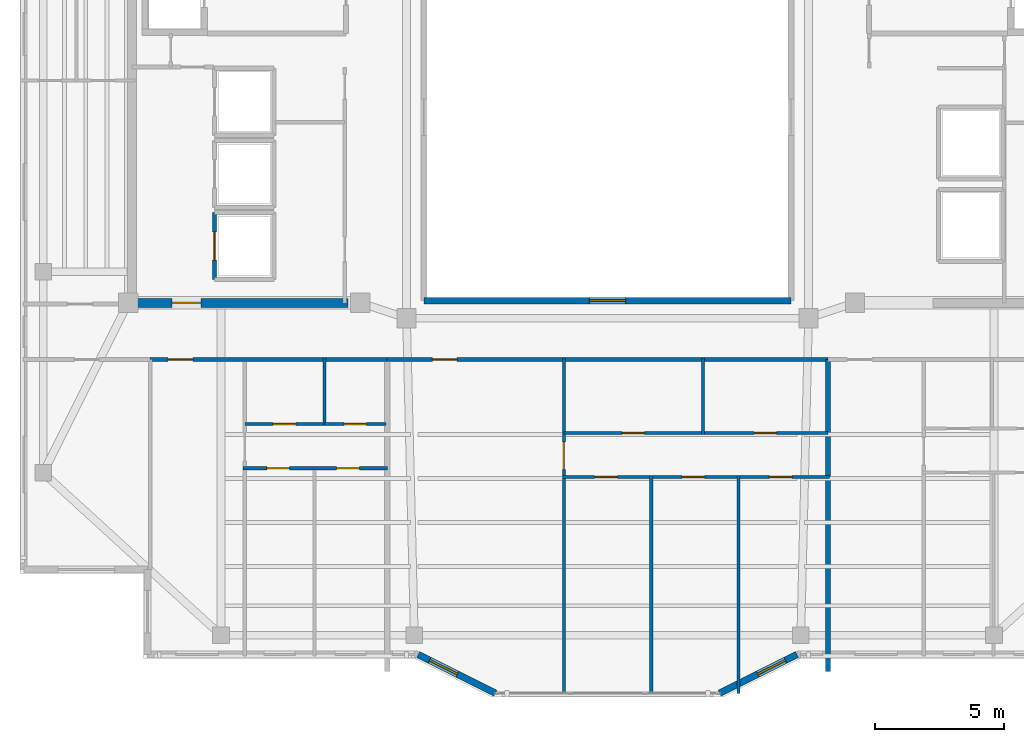
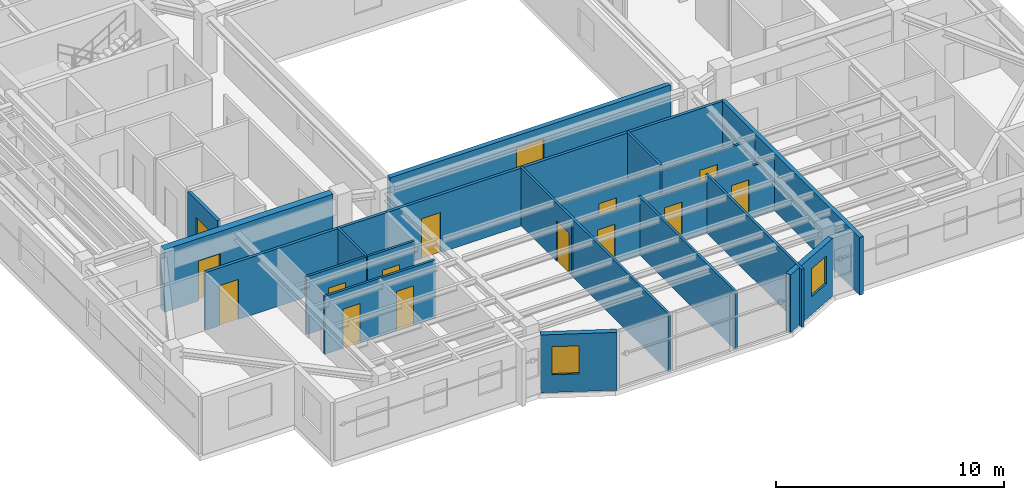
# One storey, part 6 of 15: 19 walls, 14 doors, 3 windows, 17 openings.
"""IFC4 building model written with IfcOpenShell, lengths in metres."""

import ifcopenshell
import ifcopenshell.guid

model = None  # the IFC model being written
_history = None  # IfcOwnerHistory: only IFC2X3 demands one
_inside = {}  # id of a spatial element -> (the spatial element, [elements in it])
_under = {}  # id of a project, library or spatial element -> (it, [spatial elements below it])
_declared = {}  # id of a project -> (the project, [libraries it declares])
_typed = {}  # id of a type object -> (the type object, [elements of that type])
_made_of = {}  # id of a material, layer set ... -> (it, [elements and type objects made of it])


def new_model(schema):
    """Start an empty IFC model of exactly this schema.

    Asked for "IFC4X3", IfcOpenShell would pick the latest addendum, in which some entities
    have other attributes; the version numbers below select the first issue.
    IFC2X3 requires an IfcOwnerHistory on every rooted entity: one is made here for all.
    """
    global model, _history
    if schema == "IFC4X3":
        model = ifcopenshell.file(schema_version=(4, 3, 0, 0))
    else:
        model = ifcopenshell.file(schema=schema)
    _inside.clear()
    _under.clear()
    _declared.clear()
    _typed.clear()
    _made_of.clear()
    _history = None
    if model.schema == "IFC2X3":
        org = make("IfcOrganization", Name="unknown")
        user = make(
            "IfcPersonAndOrganization",
            ThePerson=make("IfcPerson", FamilyName="unknown"),
            TheOrganization=org,
        )
        app = make(
            "IfcApplication",
            ApplicationDeveloper=org,
            Version="unknown",
            ApplicationFullName="unknown",
            ApplicationIdentifier="unknown",
        )
        _history = make(
            "IfcOwnerHistory",
            OwningUser=user,
            OwningApplication=app,
            ChangeAction="ADDED",
            CreationDate=0,
        )
    return model


def make(cls, **values):
    """One entity of the class cls with the attributes given. An attribute that is None is left unset."""
    return model.create_entity(
        cls, **{name: value for name, value in values.items() if value is not None}
    )


def rooted(cls, **values):
    """An entity with a GlobalId (a new one), such as an element, a storey or a relation."""
    return make(cls, GlobalId=ifcopenshell.guid.new(), OwnerHistory=_history, **values)


def si_unit(unit_type, name, prefix=None):
    """IfcSIUnit, for example si_unit("LENGTHUNIT", "METRE", prefix="MILLI")."""
    return make("IfcSIUnit", UnitType=unit_type, Prefix=prefix, Name=name)


def assignment(units):
    """IfcUnitAssignment: the units of a project."""
    return None if units is None else make("IfcUnitAssignment", Units=units)


def point(xyz):
    """IfcCartesianPoint."""
    return None if xyz is None else make("IfcCartesianPoint", Coordinates=xyz)


def direction(xyz):
    """IfcDirection."""
    return None if xyz is None else make("IfcDirection", DirectionRatios=xyz)


def frame(location, z_axis=None, x_axis=None):
    """IfcAxis2Placement3D, a coordinate frame: its origin and axes. An axis left out is left unset."""
    return make(
        "IfcAxis2Placement3D",
        Location=point(location),
        Axis=direction(z_axis),
        RefDirection=direction(x_axis),
    )


def frame_2d(location, x_axis=None):
    """IfcAxis2Placement2D, a coordinate frame in the plane: its origin and x axis."""
    return make(
        "IfcAxis2Placement2D", Location=point(location), RefDirection=direction(x_axis)
    )


def origin():
    """The frame at (0, 0, 0) with its axes left unset."""
    return frame((0.0, 0.0, 0.0))


def place(relative_to, where):
    """IfcLocalPlacement: puts the frame where relative to a parent placement (None: the world)."""
    return make(
        "IfcLocalPlacement", PlacementRelTo=relative_to, RelativePlacement=where
    )


def context(
    kind, dimensions, precision=None, world=None, true_north=None, identifier=None
):
    """IfcGeometricRepresentationContext, for example the 3D "Model" context."""
    return make(
        "IfcGeometricRepresentationContext",
        ContextIdentifier=identifier,
        ContextType=kind,
        CoordinateSpaceDimension=dimensions,
        Precision=precision,
        WorldCoordinateSystem=world,
        TrueNorth=true_north,
    )


def subcontext(parent, identifier, kind, view, scale=None):
    """IfcGeometricRepresentationSubContext, for example "Body" below "Model"."""
    return make(
        "IfcGeometricRepresentationSubContext",
        ContextIdentifier=identifier,
        ContextType=kind,
        ParentContext=parent,
        TargetScale=scale,
        TargetView=view,
    )


def project(units=None, contexts=None):
    """IfcProject with its units and contexts."""
    return rooted(
        "IfcProject",
        Name="project",
        RepresentationContexts=contexts,
        UnitsInContext=assignment(units),
    )


def spatial(cls, under=None, at=None, **own):
    """A site, building, storey or space (cls), placed at a placement, below another one or the project."""
    s = rooted(cls, ObjectPlacement=at, **own)
    if under is not None:
        _under.setdefault(under.id(), (under, []))[1].append(s)
    return s


def profile(cls, at=None, kind="AREA", **sizes):
    """A parametric profile (cls). Its sizes go by their IFC names, for example OverallWidth=200.0."""
    return make(cls, ProfileType=kind, Position=at, **sizes)


def rectangle(**sizes):
    """IfcRectangleProfileDef."""
    return profile("IfcRectangleProfileDef", **sizes)


def extrude(swept, where, along, depth):
    """IfcExtrudedAreaSolid: the profile swept, set in the frame where, extruded along a direction by depth."""
    return make(
        "IfcExtrudedAreaSolid",
        SweptArea=swept,
        Position=where,
        ExtrudedDirection=direction(along),
        Depth=depth,
    )


def shape(context_of_items, identifier, shape_type, items):
    """IfcShapeRepresentation: the items that make up one representation, for example the "Body"."""
    return make(
        "IfcShapeRepresentation",
        ContextOfItems=context_of_items,
        RepresentationIdentifier=identifier,
        RepresentationType=shape_type,
        Items=items,
    )


def material(Name=None, Category=None):
    """IfcMaterial."""
    return make("IfcMaterial", Name=Name, Category=Category)


def layer(
    of_material, thickness, ventilated=None, Name=None, Category=None, Priority=None
):
    """IfcMaterialLayer: one layer of a wall or slab, of a material (None: an air gap)."""
    return make(
        "IfcMaterialLayer",
        Material=of_material,
        LayerThickness=thickness,
        IsVentilated=ventilated,
        Name=Name,
        Category=Category,
        Priority=Priority,
    )


def layer_set(layers, Name=None):
    """IfcMaterialLayerSet."""
    return make("IfcMaterialLayerSet", MaterialLayers=layers, LayerSetName=Name)


def made_of(thing, what):
    """Note that an element or type object is made of a material, layer set ...; save() writes the relation."""
    if what is not None:
        _made_of.setdefault(what.id(), (what, []))[1].append(thing)
    return thing


def type_object(cls, material=None, **own):
    """A type object (cls), such as IfcWallType, which elements share."""
    return made_of(rooted(cls, **own), material)


def element(
    cls,
    number,
    at=None,
    inside=None,
    cuts=None,
    type_object=None,
    material=None,
    context=None,
    identifier="Body",
    shape_type=None,
    held_by="IfcProductDefinitionShape",
    body=None,
    shapes=None,
    **own,
):
    """One element of the class cls, such as IfcWall. Its Tag is "e" and its number.

    at: its placement. inside: the storey or other place that contains it. cuts: it is an
    opening in that element (IfcRelVoidsElement). A single representation is given by context,
    identifier, shape_type and body (its items); several are given by shapes. held_by: the class
    of the entity that holds the representations. save() writes the other relations.
    """
    e = rooted(cls, Tag="e%d" % number, ObjectPlacement=at, **own)
    if body is not None:
        shapes = [shape(context, identifier, shape_type, body)]
    if shapes is not None:
        e.Representation = make(held_by, Representations=shapes)
    if inside is not None:
        _inside.setdefault(inside.id(), (inside, []))[1].append(e)
    if cuts is not None:
        rooted(
            "IfcRelVoidsElement", RelatingBuildingElement=cuts, RelatedOpeningElement=e
        )
    if type_object is not None:
        _typed.setdefault(type_object.id(), (type_object, []))[1].append(e)
    return made_of(e, material)


def fill(opening, filler):
    """IfcRelFillsElement: the door or window that sits in an opening."""
    return rooted(
        "IfcRelFillsElement",
        RelatingOpeningElement=opening,
        RelatedBuildingElement=filler,
    )


def aggregate(whole, parts):
    """IfcRelAggregates: a whole, such as a stair, and the parts it consists of."""
    return rooted("IfcRelAggregates", RelatingObject=whole, RelatedObjects=parts)


def save(model, path):
    """Write the relations noted so far, then the file.

    IfcRelAggregates (storeys below a building ...), IfcRelContainedInSpatialStructure (elements
    in a storey), IfcRelDefinesByType, IfcRelAssociatesMaterial and IfcRelDeclares: one each for
    every whole, place, type object, material and project.
    """
    for whole, parts in _under.values():
        aggregate(whole, parts)
    for where, things in _inside.values():
        rooted(
            "IfcRelContainedInSpatialStructure",
            RelatedElements=things,
            RelatingStructure=where,
        )
    for kind, things in _typed.values():
        rooted("IfcRelDefinesByType", RelatedObjects=things, RelatingType=kind)
    for what, things in _made_of.values():
        rooted("IfcRelAssociatesMaterial", RelatedObjects=things, RelatingMaterial=what)
    for by, libraries in _declared.values():
        rooted("IfcRelDeclares", RelatingContext=by, RelatedDefinitions=libraries)
    model.write(path)


model = new_model("IFC4")

# Units and contexts
model_context = context("Model", 3, precision=1e-05, world=origin(), true_north=direction((0.0, 1.0)))
body_context = subcontext(model_context, "Body", "Model", "MODEL_VIEW")
ifc_project = project(units=[si_unit("LENGTHUNIT", "METRE"), si_unit("AREAUNIT", "SQUARE_METRE"), si_unit("VOLUMEUNIT", "CUBIC_METRE"), si_unit("PLANEANGLEUNIT", "RADIAN"), si_unit("MASSUNIT", "GRAM", prefix="KILO")], contexts=[model_context])

# Site, building, storey
site_placement = place(None, origin())
site = spatial("IfcSite", under=ifc_project, at=site_placement, CompositionType="ELEMENT")
building_placement = place(site_placement, origin())
building = spatial("IfcBuilding", under=site, at=building_placement, Name="Tarnavaz Court Tower", CompositionType="ELEMENT")
storey_placement = place(building_placement, frame((0.0, 0.0, 244.85009765625)))
storey = spatial("IfcBuildingStorey", under=building, at=storey_placement, Name="L66", CompositionType="ELEMENT", Elevation=244.85009765625)

# Wall, opening, door
ifc_material_1 = material(Name="Concrete C50/60", Category="concrete")
ifc_layer_1 = layer(ifc_material_1, 0.35009765625)
ifc_layer_set_1 = layer_set([ifc_layer_1], Name="Concrete C50/60")
wall_type_1 = type_object("IfcWallType", Name="WL-CORE-350-C50", PredefinedType="SHEAR", material=ifc_layer_set_1)
wall_1_placement = place(storey_placement, frame((-18.625, -7.199951171875, 0.0), z_axis=(0.0, 0.0, 1.0), x_axis=(1.0, 0.0, 0.0)))
wall_1 = element("IfcWall", 1, at=wall_1_placement, inside=storey, type_object=wall_type_1, Name="L66 West Core South Shear Wall 046", PredefinedType="SHEAR", context=body_context, shape_type="SweptSolid", body=[
    extrude(rectangle(XDim=8.550048828125, YDim=0.35009765625, at=frame_2d((4.27490234375, 0.0))), origin(), (0.0, 0.0, 1.0), 3.349853515625),
])
opening_1_placement = place(wall_1_placement, frame((1.72509765625, 0.0, 0.0)))
opening_1 = element("IfcOpeningElement", 2, at=opening_1_placement, cuts=wall_1, Name="Opening D04", PredefinedType="OPENING", context=body_context, shape_type="SweptSolid", body=[
    extrude(rectangle(XDim=1.1201171875, YDim=2.14990234375, at=frame_2d((0.56005859375, 1.074951171875))), frame((0.0, 0.18505859375, 0.0), z_axis=(0.0, -1.0, 0.0), x_axis=(1.0, 0.0, 0.0)), (0.0, 0.0, 1.0), 0.3701171875),
])
ifc_material_2 = material(Name="Fire-Rated Hardwood Timber Core", Category="wood")
door_type_1 = type_object("IfcDoorType", Name="DR-FD60-1100", OperationType="NOTDEFINED", PredefinedType="DOOR", material=ifc_material_2)
door_1_placement = place(opening_1_placement, origin())
door_1 = element("IfcDoor", 3, at=door_1_placement, inside=storey, type_object=door_type_1, Name="L66 West High-Rise Lift Lobby Door", OperationType="SINGLE_SWING_LEFT", OverallHeight=2.14990234375, OverallWidth=1.1201171875, PredefinedType="DOOR", context=body_context, shape_type="SweptSolid", body=[
    extrude(rectangle(XDim=1.1201171875, YDim=2.14990234375, at=frame_2d((0.56005859375, 1.074951171875))), frame((0.0, 0.02490234375, 0.0), z_axis=(0.0, -1.0, 0.0), x_axis=(1.0, 0.0, 0.0)), (0.0, 0.0, 1.0), 0.050048828125),
])
fill(opening_1, door_1)

# Wall, opening, window
ifc_material_3 = material(Name="Precast Concrete C40/50", Category="concrete")
ifc_layer_2 = layer(ifc_material_3, 0.260009765625)
ifc_layer_set_2 = layer_set([ifc_layer_2], Name="Precast Concrete C40/50")
wall_type_2 = type_object("IfcWallType", Name="WL-EXT-260", PredefinedType="SOLIDWALL", material=ifc_layer_set_2)
wall_2_placement = place(storey_placement, frame((7.35009765625, -20.85009765625, 0.0), z_axis=(0.0, 0.0, 1.0), x_axis=(-0.894427191, -0.4472135955, 0.0)))
wall_2 = element("IfcWall", 4, at=wall_2_placement, inside=storey, type_object=wall_type_2, Name="L66 Exterior Terracotta Facade Wall 16", PredefinedType="SOLIDWALL", context=body_context, shape_type="SweptSolid", body=[
    extrude(rectangle(XDim=3.35400390625, YDim=0.260009765625, at=frame_2d((1.677001953125, 0.0))), origin(), (0.0, 0.0, 1.0), 3.099853515625),
])
opening_2_placement = place(wall_2_placement, frame((0.501220703125, 0.0, 0.949951171875)))
opening_2 = element("IfcOpeningElement", 5, at=opening_2_placement, cuts=wall_2, Name="Opening W05", PredefinedType="OPENING", context=body_context, shape_type="SweptSolid", body=[
    extrude(rectangle(XDim=1.199951171875, YDim=1.5, at=frame_2d((0.60009765625, 0.75))), frame((0.0, 0.139892578125, 0.0), z_axis=(0.0, -1.0, 0.0), x_axis=(1.0, 0.0, 0.0)), (0.0, 0.0, 1.0), 0.280029296875),
])
ifc_material_4 = material(Name="Double-Glazed Solar Low-E Glass", Category="glass")
window_type_1 = type_object("IfcWindowType", Name="WN-APT-1200", PartitioningType="SINGLE_PANEL", PredefinedType="WINDOW", material=ifc_material_4)
window_1_placement = place(opening_2_placement, origin())
window_1 = element("IfcWindow", 6, at=window_1_placement, inside=storey, type_object=window_type_1, Name="L66 Flat 07 Bedroom 3 Window", OverallHeight=1.5, OverallWidth=1.199951171875, PartitioningType="SINGLE_PANEL", PredefinedType="WINDOW", context=body_context, shape_type="SweptSolid", body=[
    extrude(rectangle(XDim=1.199951171875, YDim=1.5, at=frame_2d((0.60009765625, 0.75))), frame((0.0, 0.030029296875, 0.0), z_axis=(0.0, -1.0, 0.0), x_axis=(1.0, 0.0, 0.0)), (0.0, 0.0, 1.0), 0.06005859375),
])
fill(opening_2, window_1)

wall_3_placement = place(storey_placement, frame((-4.35009765625, -22.35009765625, 0.0), z_axis=(0.0, 0.0, 1.0), x_axis=(-0.894427191, 0.4472135955, 0.0)))
wall_3 = element("IfcWall", 7, at=wall_3_placement, inside=storey, type_object=wall_type_2, Name="L66 Exterior Terracotta Facade Wall 18", PredefinedType="SOLIDWALL", context=body_context, shape_type="SweptSolid", body=[
    extrude(rectangle(XDim=3.35400390625, YDim=0.260009765625, at=frame_2d((1.677001953125, 0.0))), origin(), (0.0, 0.0, 1.0), 3.099853515625),
])
opening_3_placement = place(wall_3_placement, frame((1.65283203125, 0.0, 0.949951171875)))
opening_3 = element("IfcOpeningElement", 8, at=opening_3_placement, cuts=wall_3, Name="Opening W05", PredefinedType="OPENING", context=body_context, shape_type="SweptSolid", body=[
    extrude(rectangle(XDim=1.199951171875, YDim=1.5, at=frame_2d((0.60009765625, 0.75))), frame((0.0, 0.139892578125, 0.0), z_axis=(0.0, -1.0, 0.0), x_axis=(1.0, 0.0, 0.0)), (0.0, 0.0, 1.0), 0.280029296875),
])
window_2_placement = place(opening_3_placement, origin())
window_2 = element("IfcWindow", 9, at=window_2_placement, inside=storey, type_object=window_type_1, Name="L66 Flat 07 Living and Dining Room Window", OverallHeight=1.5, OverallWidth=1.199951171875, PartitioningType="SINGLE_PANEL", PredefinedType="WINDOW", context=body_context, shape_type="SweptSolid", body=[
    extrude(rectangle(XDim=1.199951171875, YDim=1.5, at=frame_2d((0.60009765625, 0.75))), frame((0.0, 0.030029296875, 0.0), z_axis=(0.0, -1.0, 0.0), x_axis=(1.0, 0.0, 0.0)), (0.0, 0.0, 1.0), 0.06005859375),
])
fill(opening_3, window_2)

# Wall, opening, door
ifc_material_5 = material(Name="Gypsum Fire-Board on Acoustic Metal Stud", Category="masonry")
ifc_layer_3 = layer(ifc_material_5, 0.14990234375)
ifc_layer_set_3 = layer_set([ifc_layer_3], Name="Gypsum Fire-Board on Acoustic Metal Stud")
wall_type_3 = type_object("IfcWallType", Name="WL-FIRE-150", PredefinedType="PARTITIONING", material=ifc_layer_set_3)
wall_4_placement = place(storey_placement, frame((-17.75, -9.39990234375, 0.0), z_axis=(0.0, 0.0, 1.0), x_axis=(1.0, 0.0, 0.0)))
wall_4 = element("IfcWall", 10, at=wall_4_placement, inside=storey, type_object=wall_type_3, Name="L66 SW Lobby Wall 059", PredefinedType="PARTITIONING", context=body_context, shape_type="SweptSolid", body=[
    extrude(rectangle(XDim=9.199951171875, YDim=0.14990234375, at=frame_2d((4.60009765625, 0.0))), origin(), (0.0, 0.0, 1.0), 3.099853515625),
])
opening_4_placement = place(wall_4_placement, frame((0.699951171875, 0.0, 0.0)))
opening_4 = element("IfcOpeningElement", 11, at=opening_4_placement, cuts=wall_4, Name="Opening D06", PredefinedType="OPENING", context=body_context, shape_type="SweptSolid", body=[
    extrude(rectangle(XDim=0.9599609375, YDim=2.14990234375, at=frame_2d((0.47998046875, 1.074951171875))), frame((0.0, 0.0849609375, 0.0), z_axis=(0.0, -1.0, 0.0), x_axis=(1.0, 0.0, 0.0)), (0.0, 0.0, 1.0), 0.169921875),
])
door_type_2 = type_object("IfcDoorType", Name="DR-FD60-950", OperationType="NOTDEFINED", PredefinedType="DOOR", material=ifc_material_2)
door_2_placement = place(opening_4_placement, origin())
door_2 = element("IfcDoor", 12, at=door_2_placement, inside=storey, type_object=door_type_2, Name="L66 Flat 05 Entrance Door", OperationType="SINGLE_SWING_LEFT", OverallHeight=2.14990234375, OverallWidth=0.9599609375, PredefinedType="DOOR", context=body_context, shape_type="SweptSolid", body=[
    extrude(rectangle(XDim=0.9599609375, YDim=2.14990234375, at=frame_2d((0.47998046875, 1.074951171875))), frame((0.0, 0.02490234375, 0.0), z_axis=(0.0, -1.0, 0.0), x_axis=(1.0, 0.0, 0.0)), (0.0, 0.0, 1.0), 0.050048828125),
])
fill(opening_4, door_2)

wall_5_placement = place(storey_placement, frame((-8.550048828125, -9.39990234375, 0.0), z_axis=(0.0, 0.0, 1.0), x_axis=(1.0, 0.0, 0.0)))
wall_5 = element("IfcWall", 13, at=wall_5_placement, inside=storey, type_object=wall_type_3, Name="L66 Interior Partition 100", PredefinedType="PARTITIONING", context=body_context, shape_type="SweptSolid", body=[
    extrude(rectangle(XDim=17.10009765625, YDim=0.14990234375, at=frame_2d((8.550048828125, 0.0))), origin(), (0.0, 0.0, 1.0), 3.099853515625),
])
opening_5_placement = place(wall_5_placement, frame((1.75, 0.0, 0.0)))
opening_5 = element("IfcOpeningElement", 14, at=opening_5_placement, cuts=wall_5, Name="Opening D06", PredefinedType="OPENING", context=body_context, shape_type="SweptSolid", body=[
    extrude(rectangle(XDim=0.9599609375, YDim=2.14990234375, at=frame_2d((0.47998046875, 1.074951171875))), frame((0.0, 0.0849609375, 0.0), z_axis=(0.0, -1.0, 0.0), x_axis=(1.0, 0.0, 0.0)), (0.0, 0.0, 1.0), 0.169921875),
])
door_3_placement = place(opening_5_placement, origin())
door_3 = element("IfcDoor", 15, at=door_3_placement, inside=storey, type_object=door_type_2, Name="L66 Flat 07 Entrance Door", OperationType="SINGLE_SWING_LEFT", OverallHeight=2.14990234375, OverallWidth=0.9599609375, PredefinedType="DOOR", context=body_context, shape_type="SweptSolid", body=[
    extrude(rectangle(XDim=0.9599609375, YDim=2.14990234375, at=frame_2d((0.47998046875, 1.074951171875))), frame((0.0, 0.02490234375, 0.0), z_axis=(0.0, -1.0, 0.0), x_axis=(1.0, 0.0, 0.0)), (0.0, 0.0, 1.0), 0.050048828125),
])
fill(opening_5, door_3)

# Wall
ifc_material_6 = material(Name="Autoclaved Aerated Concrete Blockwork", Category="masonry")
ifc_layer_4 = layer(ifc_material_6, 0.199951171875)
ifc_layer_set_4 = layer_set([ifc_layer_4], Name="Autoclaved Aerated Concrete Blockwork")
wall_type_4 = type_object("IfcWallType", Name="WL-FIRE-200", PredefinedType="SOLIDWALL", material=ifc_layer_set_4)
wall_6_placement = place(storey_placement, frame((8.550048828125, -21.50390625, 0.0), z_axis=(0.0, 0.0, 1.0), x_axis=(0.0, 1.0, 0.0)))
element("IfcWall", 16, at=wall_6_placement, inside=storey, type_object=wall_type_4, Name="L66 Party Wall 099", PredefinedType="SOLIDWALL", context=body_context, shape_type="SweptSolid", body=[
    extrude(rectangle(XDim=12.10400390625, YDim=0.199951171875, at=frame_2d((6.052001953125, 0.0))), origin(), (0.0, 0.0, 1.0), 3.099853515625),
])

# Wall, opening, door
ifc_material_7 = material(Name="Moisture-Resistant Gypsum Board Partition", Category="masonry")
ifc_layer_5 = layer(ifc_material_7, 0.1201171875)
ifc_layer_set_5 = layer_set([ifc_layer_5], Name="Moisture-Resistant Gypsum Board Partition")
wall_type_5 = type_object("IfcWallType", Name="WL-PART-120", PredefinedType="PARTITIONING", material=ifc_layer_set_5)
wall_7_placement = place(storey_placement, frame((-14.077880859375, -11.909912109375, 0.0), z_axis=(0.0, 0.0, 1.0), x_axis=(1.0, 0.0, 0.0)))
wall_7 = element("IfcWall", 17, at=wall_7_placement, inside=storey, type_object=wall_type_5, Name="L66 Interior Partition 087", PredefinedType="PARTITIONING", context=body_context, shape_type="SweptSolid", body=[
    extrude(rectangle(XDim=3.087890625, YDim=0.1201171875, at=frame_2d((1.5439453125, 0.0))), origin(), (0.0, 0.0, 1.0), 3.099853515625),
])
opening_6_placement = place(wall_7_placement, frame((1.10400390625, 0.0, 0.0)))
opening_6 = element("IfcOpeningElement", 18, at=opening_6_placement, cuts=wall_7, Name="Opening D14", PredefinedType="OPENING", context=body_context, shape_type="SweptSolid", body=[
    extrude(rectangle(XDim=0.8798828125, YDim=2.10009765625, at=frame_2d((0.43994140625, 1.050048828125))), frame((0.0, 0.070068359375, 0.0), z_axis=(0.0, -1.0, 0.0), x_axis=(1.0, 0.0, 0.0)), (0.0, 0.0, 1.0), 0.14013671875),
])
ifc_material_8 = material(Name="Engineered Oak Timber", Category="wood")
door_type_3 = type_object("IfcDoorType", Name="DR-INT-900", OperationType="NOTDEFINED", PredefinedType="DOOR", material=ifc_material_8)
door_4_placement = place(opening_6_placement, origin())
door_4 = element("IfcDoor", 19, at=door_4_placement, inside=storey, type_object=door_type_3, Name="L66 Flat 05 Kitchen Door", OperationType="SINGLE_SWING_LEFT", OverallHeight=2.10009765625, OverallWidth=0.8798828125, PredefinedType="DOOR", context=body_context, shape_type="SweptSolid", body=[
    extrude(rectangle(XDim=0.8798828125, YDim=2.10009765625, at=frame_2d((0.43994140625, 1.050048828125))), frame((0.0, 0.02490234375, 0.0), z_axis=(0.0, -1.0, 0.0), x_axis=(1.0, 0.0, 0.0)), (0.0, 0.0, 1.0), 0.050048828125),
])
fill(opening_6, door_4)

wall_8_placement = place(storey_placement, frame((-10.989990234375, -11.909912109375, 0.0), z_axis=(0.0, 0.0, 1.0), x_axis=(1.0, 0.0, 0.0)))
wall_8 = element("IfcWall", 20, at=wall_8_placement, inside=storey, type_object=wall_type_5, Name="L66 Interior Partition 088", PredefinedType="PARTITIONING", context=body_context, shape_type="SweptSolid", body=[
    extrude(rectangle(XDim=2.389892578125, YDim=0.1201171875, at=frame_2d((1.19482421875, 0.0))), origin(), (0.0, 0.0, 1.0), 3.099853515625),
])
opening_7_placement = place(wall_8_placement, frame((0.7548828125, 0.0, 0.0)))
opening_7 = element("IfcOpeningElement", 21, at=opening_7_placement, cuts=wall_8, Name="Opening D14", PredefinedType="OPENING", context=body_context, shape_type="SweptSolid", body=[
    extrude(rectangle(XDim=0.8798828125, YDim=2.10009765625, at=frame_2d((0.43994140625, 1.050048828125))), frame((0.0, 0.070068359375, 0.0), z_axis=(0.0, -1.0, 0.0), x_axis=(1.0, 0.0, 0.0)), (0.0, 0.0, 1.0), 0.14013671875),
])
door_5_placement = place(opening_7_placement, origin())
door_5 = element("IfcDoor", 22, at=door_5_placement, inside=storey, type_object=door_type_3, Name="L66 Flat 05 Bathroom Door", OperationType="SINGLE_SWING_RIGHT", OverallHeight=2.10009765625, OverallWidth=0.8798828125, PredefinedType="DOOR", context=body_context, shape_type="SweptSolid", body=[
    extrude(rectangle(XDim=0.8798828125, YDim=2.10009765625, at=frame_2d((0.43994140625, 1.050048828125))), frame((0.0, 0.02490234375, 0.0), z_axis=(0.0, -1.0, 0.0), x_axis=(1.0, 0.0, 0.0)), (0.0, 0.0, 1.0), 0.050048828125),
])
fill(opening_7, door_5)

# Wall, openings, doors
wall_9_placement = place(storey_placement, frame((-14.137939453125, -13.6201171875, 0.0), z_axis=(0.0, 0.0, 1.0), x_axis=(1.0, 0.0, 0.0)))
wall_9 = element("IfcWall", 23, at=wall_9_placement, inside=storey, type_object=wall_type_5, Name="L66 Interior Partition 089", PredefinedType="PARTITIONING", context=body_context, shape_type="SweptSolid", body=[
    extrude(rectangle(XDim=5.597900390625, YDim=0.1201171875, at=frame_2d((2.798828125, 0.0))), origin(), (0.0, 0.0, 1.0), 3.099853515625),
])
opening_8_placement = place(wall_9_placement, frame((0.9140625, 0.0, 0.0)))
opening_8 = element("IfcOpeningElement", 24, at=opening_8_placement, cuts=wall_9, Name="Opening D14", PredefinedType="OPENING", context=body_context, shape_type="SweptSolid", body=[
    extrude(rectangle(XDim=0.8798828125, YDim=2.10009765625, at=frame_2d((0.43994140625, 1.050048828125))), frame((0.0, 0.070068359375, 0.0), z_axis=(0.0, -1.0, 0.0), x_axis=(1.0, 0.0, 0.0)), (0.0, 0.0, 1.0), 0.14013671875),
])
opening_9_placement = place(wall_9_placement, frame((3.623046875, 0.0, 0.0)))
opening_9 = element("IfcOpeningElement", 25, at=opening_9_placement, cuts=wall_9, Name="Opening D14", PredefinedType="OPENING", context=body_context, shape_type="SweptSolid", body=[
    extrude(rectangle(XDim=0.8798828125, YDim=2.10009765625, at=frame_2d((0.43994140625, 1.050048828125))), frame((0.0, 0.070068359375, 0.0), z_axis=(0.0, -1.0, 0.0), x_axis=(1.0, 0.0, 0.0)), (0.0, 0.0, 1.0), 0.14013671875),
])
door_6_placement = place(opening_8_placement, origin())
door_6 = element("IfcDoor", 26, at=door_6_placement, inside=storey, type_object=door_type_3, Name="L66 Flat 05 Bedroom 1 Door", OperationType="SINGLE_SWING_LEFT", OverallHeight=2.10009765625, OverallWidth=0.8798828125, PredefinedType="DOOR", context=body_context, shape_type="SweptSolid", body=[
    extrude(rectangle(XDim=0.8798828125, YDim=2.10009765625, at=frame_2d((0.43994140625, 1.050048828125))), frame((0.0, 0.02490234375, 0.0), z_axis=(0.0, -1.0, 0.0), x_axis=(1.0, 0.0, 0.0)), (0.0, 0.0, 1.0), 0.050048828125),
])
fill(opening_8, door_6)
door_7_placement = place(opening_9_placement, origin())
door_7 = element("IfcDoor", 27, at=door_7_placement, inside=storey, type_object=door_type_3, Name="L66 Flat 05 Bedroom 2 Door", OperationType="SINGLE_SWING_RIGHT", OverallHeight=2.10009765625, OverallWidth=0.8798828125, PredefinedType="DOOR", context=body_context, shape_type="SweptSolid", body=[
    extrude(rectangle(XDim=0.8798828125, YDim=2.10009765625, at=frame_2d((0.43994140625, 1.050048828125))), frame((0.0, 0.02490234375, 0.0), z_axis=(0.0, -1.0, 0.0), x_axis=(1.0, 0.0, 0.0)), (0.0, 0.0, 1.0), 0.050048828125),
])
fill(opening_9, door_7)

# Wall
wall_10_placement = place(storey_placement, frame((-10.989990234375, -11.969970703125, 0.0), z_axis=(0.0, 0.0, 1.0), x_axis=(0.0, 1.0, 0.0)))
element("IfcWall", 28, at=wall_10_placement, inside=storey, type_object=wall_type_5, Name="L66 Interior Partition 090", PredefinedType="PARTITIONING", context=body_context, shape_type="SweptSolid", body=[
    extrude(rectangle(XDim=2.6298828125, YDim=0.1201171875, at=frame_2d((1.31494140625, 0.0))), origin(), (0.0, 0.0, 1.0), 3.099853515625),
])

# Wall, opening, door
wall_11_placement = place(storey_placement, frame((-1.696044921875, -22.3798828125, 0.0), z_axis=(0.0, 0.0, 1.0), x_axis=(0.0, 1.0, 0.0)))
wall_11 = element("IfcWall", 29, at=wall_11_placement, inside=storey, type_object=wall_type_5, Name="L66 Interior Partition 101", PredefinedType="PARTITIONING", context=body_context, shape_type="SweptSolid", body=[
    extrude(rectangle(XDim=13.039794921875, YDim=0.1201171875, at=frame_2d((6.52001953125, 0.0))), origin(), (0.0, 0.0, 1.0), 3.099853515625),
])
opening_10_placement = place(wall_11_placement, frame((8.705078125, 0.0, 0.0)))
opening_10 = element("IfcOpeningElement", 30, at=opening_10_placement, cuts=wall_11, Name="Opening D12", PredefinedType="OPENING", context=body_context, shape_type="SweptSolid", body=[
    extrude(rectangle(XDim=1.080078125, YDim=2.14990234375, at=frame_2d((0.5400390625, 1.074951171875))), frame((0.0, 0.070068359375, 0.0), z_axis=(0.0, -1.0, 0.0), x_axis=(1.0, 0.0, 0.0)), (0.0, 0.0, 1.0), 0.14013671875),
])
door_type_4 = type_object("IfcDoorType", Name="DR-INT-1100", OperationType="NOTDEFINED", PredefinedType="DOOR", material=ifc_material_8)
door_8_placement = place(opening_10_placement, origin())
door_8 = element("IfcDoor", 31, at=door_8_placement, inside=storey, type_object=door_type_4, Name="L66 Flat 07 Foyer Door", OperationType="SINGLE_SWING_RIGHT", OverallHeight=2.14990234375, OverallWidth=1.080078125, PredefinedType="DOOR", context=body_context, shape_type="SweptSolid", body=[
    extrude(rectangle(XDim=1.080078125, YDim=2.14990234375, at=frame_2d((0.5400390625, 1.074951171875))), frame((0.0, 0.02490234375, 0.0), z_axis=(0.0, -1.0, 0.0), x_axis=(1.0, 0.0, 0.0)), (0.0, 0.0, 1.0), 0.050048828125),
])
fill(opening_10, door_8)

wall_12_placement = place(storey_placement, frame((-1.696044921875, -12.25, 0.0), z_axis=(0.0, 0.0, 1.0), x_axis=(1.0, 0.0, 0.0)))
wall_12 = element("IfcWall", 32, at=wall_12_placement, inside=storey, type_object=wall_type_5, Name="L66 Interior Partition 102", PredefinedType="PARTITIONING", context=body_context, shape_type="SweptSolid", body=[
    extrude(rectangle(XDim=5.39306640625, YDim=0.1201171875, at=frame_2d((2.696533203125, 0.0))), origin(), (0.0, 0.0, 1.0), 2.784912109375),
])
opening_11_placement = place(wall_12_placement, frame((2.256103515625, 0.0, 0.0)))
opening_11 = element("IfcOpeningElement", 33, at=opening_11_placement, cuts=wall_12, Name="Opening D14", PredefinedType="OPENING", context=body_context, shape_type="SweptSolid", body=[
    extrude(rectangle(XDim=0.8798828125, YDim=2.10009765625, at=frame_2d((0.43994140625, 1.050048828125))), frame((0.0, 0.070068359375, 0.0), z_axis=(0.0, -1.0, 0.0), x_axis=(1.0, 0.0, 0.0)), (0.0, 0.0, 1.0), 0.14013671875),
])
door_9_placement = place(opening_11_placement, origin())
door_9 = element("IfcDoor", 34, at=door_9_placement, inside=storey, type_object=door_type_3, Name="L66 Flat 07 Kitchen Door", OperationType="SINGLE_SWING_LEFT", OverallHeight=2.10009765625, OverallWidth=0.8798828125, PredefinedType="DOOR", context=body_context, shape_type="SweptSolid", body=[
    extrude(rectangle(XDim=0.8798828125, YDim=2.10009765625, at=frame_2d((0.43994140625, 1.050048828125))), frame((0.0, 0.02490234375, 0.0), z_axis=(0.0, -1.0, 0.0), x_axis=(1.0, 0.0, 0.0)), (0.0, 0.0, 1.0), 0.050048828125),
])
fill(opening_11, door_9)

wall_13_placement = place(storey_placement, frame((3.697021484375, -12.25, 0.0), z_axis=(0.0, 0.0, 1.0), x_axis=(1.0, 0.0, 0.0)))
wall_13 = element("IfcWall", 35, at=wall_13_placement, inside=storey, type_object=wall_type_5, Name="L66 Interior Partition 103", PredefinedType="PARTITIONING", context=body_context, shape_type="SweptSolid", body=[
    extrude(rectangle(XDim=4.85302734375, YDim=0.1201171875, at=frame_2d((2.426513671875, 0.0))), origin(), (0.0, 0.0, 1.0), 2.784912109375),
])
opening_12_placement = place(wall_13_placement, frame((1.987060546875, 0.0, 0.0)))
opening_12 = element("IfcOpeningElement", 36, at=opening_12_placement, cuts=wall_13, Name="Opening D14", PredefinedType="OPENING", context=body_context, shape_type="SweptSolid", body=[
    extrude(rectangle(XDim=0.8798828125, YDim=2.10009765625, at=frame_2d((0.43994140625, 1.050048828125))), frame((0.0, 0.070068359375, 0.0), z_axis=(0.0, -1.0, 0.0), x_axis=(1.0, 0.0, 0.0)), (0.0, 0.0, 1.0), 0.14013671875),
])
door_10_placement = place(opening_12_placement, origin())
door_10 = element("IfcDoor", 37, at=door_10_placement, inside=storey, type_object=door_type_3, Name="L66 Flat 07 Bathroom Door", OperationType="SINGLE_SWING_RIGHT", OverallHeight=2.10009765625, OverallWidth=0.8798828125, PredefinedType="DOOR", context=body_context, shape_type="SweptSolid", body=[
    extrude(rectangle(XDim=0.8798828125, YDim=2.10009765625, at=frame_2d((0.43994140625, 1.050048828125))), frame((0.0, 0.02490234375, 0.0), z_axis=(0.0, -1.0, 0.0), x_axis=(1.0, 0.0, 0.0)), (0.0, 0.0, 1.0), 0.050048828125),
])
fill(opening_12, door_10)

# Wall, openings, doors
wall_14_placement = place(storey_placement, frame((-1.756103515625, -13.9599609375, 0.0), z_axis=(0.0, 0.0, 1.0), x_axis=(1.0, 0.0, 0.0)))
wall_14 = element("IfcWall", 38, at=wall_14_placement, inside=storey, type_object=wall_type_5, Name="L66 Interior Partition 104", PredefinedType="PARTITIONING", context=body_context, shape_type="SweptSolid", body=[
    extrude(rectangle(XDim=10.3662109375, YDim=0.1201171875, at=frame_2d((5.18310546875, 0.0))), origin(), (0.0, 0.0, 1.0), 2.784912109375),
])
opening_13_placement = place(wall_14_placement, frame((1.256103515625, 0.0, 0.0)))
opening_13 = element("IfcOpeningElement", 39, at=opening_13_placement, cuts=wall_14, Name="Opening D14", PredefinedType="OPENING", context=body_context, shape_type="SweptSolid", body=[
    extrude(rectangle(XDim=0.8798828125, YDim=2.10009765625, at=frame_2d((0.43994140625, 1.050048828125))), frame((0.0, 0.070068359375, 0.0), z_axis=(0.0, -1.0, 0.0), x_axis=(1.0, 0.0, 0.0)), (0.0, 0.0, 1.0), 0.14013671875),
])
opening_14_placement = place(wall_14_placement, frame((4.64794921875, 0.0, 0.0)))
opening_14 = element("IfcOpeningElement", 40, at=opening_14_placement, cuts=wall_14, Name="Opening D14", PredefinedType="OPENING", context=body_context, shape_type="SweptSolid", body=[
    extrude(rectangle(XDim=0.8798828125, YDim=2.10009765625, at=frame_2d((0.43994140625, 1.050048828125))), frame((0.0, 0.070068359375, 0.0), z_axis=(0.0, -1.0, 0.0), x_axis=(1.0, 0.0, 0.0)), (0.0, 0.0, 1.0), 0.14013671875),
])
opening_15_placement = place(wall_14_placement, frame((8.0400390625, 0.0, 0.0)))
opening_15 = element("IfcOpeningElement", 41, at=opening_15_placement, cuts=wall_14, Name="Opening D14", PredefinedType="OPENING", context=body_context, shape_type="SweptSolid", body=[
    extrude(rectangle(XDim=0.8798828125, YDim=2.10009765625, at=frame_2d((0.43994140625, 1.050048828125))), frame((0.0, 0.070068359375, 0.0), z_axis=(0.0, -1.0, 0.0), x_axis=(1.0, 0.0, 0.0)), (0.0, 0.0, 1.0), 0.14013671875),
])
door_11_placement = place(opening_13_placement, origin())
door_11 = element("IfcDoor", 42, at=door_11_placement, inside=storey, type_object=door_type_3, Name="L66 Flat 07 Bedroom 1 Door", OperationType="SINGLE_SWING_LEFT", OverallHeight=2.10009765625, OverallWidth=0.8798828125, PredefinedType="DOOR", context=body_context, shape_type="SweptSolid", body=[
    extrude(rectangle(XDim=0.8798828125, YDim=2.10009765625, at=frame_2d((0.43994140625, 1.050048828125))), frame((0.0, 0.02490234375, 0.0), z_axis=(0.0, -1.0, 0.0), x_axis=(1.0, 0.0, 0.0)), (0.0, 0.0, 1.0), 0.050048828125),
])
fill(opening_13, door_11)
door_12_placement = place(opening_14_placement, origin())
door_12 = element("IfcDoor", 43, at=door_12_placement, inside=storey, type_object=door_type_3, Name="L66 Flat 07 Bedroom 2 Door", OperationType="SINGLE_SWING_RIGHT", OverallHeight=2.10009765625, OverallWidth=0.8798828125, PredefinedType="DOOR", context=body_context, shape_type="SweptSolid", body=[
    extrude(rectangle(XDim=0.8798828125, YDim=2.10009765625, at=frame_2d((0.43994140625, 1.050048828125))), frame((0.0, 0.02490234375, 0.0), z_axis=(0.0, -1.0, 0.0), x_axis=(1.0, 0.0, 0.0)), (0.0, 0.0, 1.0), 0.050048828125),
])
fill(opening_14, door_12)
door_13_placement = place(opening_15_placement, origin())
door_13 = element("IfcDoor", 44, at=door_13_placement, inside=storey, type_object=door_type_3, Name="L66 Flat 07 Bedroom 3 Door", OperationType="SINGLE_SWING_LEFT", OverallHeight=2.10009765625, OverallWidth=0.8798828125, PredefinedType="DOOR", context=body_context, shape_type="SweptSolid", body=[
    extrude(rectangle(XDim=0.8798828125, YDim=2.10009765625, at=frame_2d((0.43994140625, 1.050048828125))), frame((0.0, 0.02490234375, 0.0), z_axis=(0.0, -1.0, 0.0), x_axis=(1.0, 0.0, 0.0)), (0.0, 0.0, 1.0), 0.050048828125),
])
fill(opening_15, door_13)

# Walls
wall_15_placement = place(storey_placement, frame((3.697021484375, -12.31005859375, 0.0), z_axis=(0.0, 0.0, 1.0), x_axis=(0.0, 1.0, 0.0)))
element("IfcWall", 45, at=wall_15_placement, inside=storey, type_object=wall_type_5, Name="L66 Interior Partition 105", PredefinedType="PARTITIONING", context=body_context, shape_type="SweptSolid", body=[
    extrude(rectangle(XDim=2.969970703125, YDim=0.1201171875, at=frame_2d((1.48486328125, 0.0))), origin(), (0.0, 0.0, 1.0), 3.099853515625),
])
wall_16_placement = place(storey_placement, frame((1.696044921875, -22.3798828125, 0.0), z_axis=(0.0, 0.0, 1.0), x_axis=(0.0, 1.0, 0.0)))
element("IfcWall", 46, at=wall_16_placement, inside=storey, type_object=wall_type_5, Name="L66 Interior Partition 106", PredefinedType="PARTITIONING", context=body_context, shape_type="SweptSolid", body=[
    extrude(rectangle(XDim=8.47998046875, YDim=0.1201171875, at=frame_2d((4.239990234375, 0.0))), origin(), (0.0, 0.0, 1.0), 3.099853515625),
])
wall_17_placement = place(storey_placement, frame((5.087890625, -22.35791015625, 0.0), z_axis=(0.0, 0.0, 1.0), x_axis=(0.0, 1.0, 0.0)))
element("IfcWall", 47, at=wall_17_placement, inside=storey, type_object=wall_type_5, Name="L66 Interior Partition 107", PredefinedType="PARTITIONING", context=body_context, shape_type="SweptSolid", body=[
    extrude(rectangle(XDim=8.4580078125, YDim=0.1201171875, at=frame_2d((4.22900390625, 0.0))), origin(), (0.0, 0.0, 1.0), 3.099853515625),
])

# Wall, opening, door
ifc_layer_6 = layer(ifc_material_6, 0.159912109375)
ifc_layer_set_6 = layer_set([ifc_layer_6], Name="Autoclaved Aerated Concrete Blockwork")
wall_type_6 = type_object("IfcWallType", Name="WL-SHAFT-150", PredefinedType="SOLIDWALL", material=ifc_layer_set_6)
wall_18_placement = place(storey_placement, frame((-15.25, -6.300048828125, 0.0), z_axis=(0.0, 0.0, 1.0), x_axis=(0.0, 1.0, 0.0)))
wall_18 = element("IfcWall", 48, at=wall_18_placement, inside=storey, type_object=wall_type_6, Name="L66 Lift PL-H1 Shaft Wall 021", PredefinedType="SOLIDWALL", context=body_context, shape_type="SweptSolid", body=[
    extrude(rectangle(XDim=2.60009765625, YDim=0.159912109375, at=frame_2d((1.300048828125, 0.0))), origin(), (0.0, 0.0, 1.0), 3.099853515625),
])
opening_16_placement = place(wall_18_placement, frame((0.75, 0.0, 0.0)))
opening_16 = element("IfcOpeningElement", 49, at=opening_16_placement, cuts=wall_18, Name="Opening LD1", PredefinedType="OPENING", context=body_context, shape_type="SweptSolid", body=[
    extrude(rectangle(XDim=1.10009765625, YDim=2.14990234375, at=frame_2d((0.550048828125, 1.074951171875))), frame((0.0, 0.08984375, 0.0), z_axis=(0.0, -1.0, 0.0), x_axis=(1.0, 0.0, 0.0)), (0.0, 0.0, 1.0), 0.179931640625),
])
ifc_material_9 = material(Name="Stainless Steel", Category="steel")
door_type_5 = type_object("IfcDoorType", Name="DR-LD-1100", OperationType="NOTDEFINED", PredefinedType="DOOR", material=ifc_material_9)
door_14_placement = place(opening_16_placement, origin())
door_14 = element("IfcDoor", 50, at=door_14_placement, inside=storey, type_object=door_type_5, Name="L66 Lift Landing Door LD-PL-H1", OperationType="SLIDING_TO_LEFT", OverallHeight=2.14990234375, OverallWidth=1.10009765625, PredefinedType="DOOR", context=body_context, shape_type="SweptSolid", body=[
    extrude(rectangle(XDim=1.10009765625, YDim=2.14990234375, at=frame_2d((0.550048828125, 1.074951171875))), frame((0.0, 0.02490234375, 0.0), z_axis=(0.0, -1.0, 0.0), x_axis=(1.0, 0.0, 0.0)), (0.0, 0.0, 1.0), 0.050048828125),
])
fill(opening_16, door_14)

# Wall, opening, window
ifc_layer_7 = layer(ifc_material_3, 0.239990234375)
ifc_layer_set_7 = layer_set([ifc_layer_7], Name="Precast Concrete C40/50")
wall_type_7 = type_object("IfcWallType", Name="WL-WELL-240", PredefinedType="SOLIDWALL", material=ifc_layer_set_7)
wall_19_placement = place(storey_placement, frame((-7.1201171875, -7.1201171875, 0.0), z_axis=(0.0, 0.0, 1.0), x_axis=(1.0, 0.0, 0.0)))
wall_19 = element("IfcWall", 51, at=wall_19_placement, inside=storey, type_object=wall_type_7, Name="L66 Badgir Light-Well Exterior Wall S", PredefinedType="SOLIDWALL", context=body_context, shape_type="SweptSolid", body=[
    extrude(rectangle(XDim=14.240234375, YDim=0.239990234375, at=frame_2d((7.1201171875, 0.0))), origin(), (0.0, 0.0, 1.0), 3.099853515625),
])
opening_17_placement = place(wall_19_placement, frame((6.419921875, 0.0, 0.949951171875)))
opening_17 = element("IfcOpeningElement", 52, at=opening_17_placement, cuts=wall_19, Name="Opening W13", PredefinedType="OPENING", context=body_context, shape_type="SweptSolid", body=[
    extrude(rectangle(XDim=1.39990234375, YDim=1.5, at=frame_2d((0.699951171875, 0.75))), frame((0.0, 0.1298828125, 0.0), z_axis=(0.0, -1.0, 0.0), x_axis=(1.0, 0.0, 0.0)), (0.0, 0.0, 1.0), 0.260009765625),
])
window_type_2 = type_object("IfcWindowType", Name="WN-WEL-1400", PartitioningType="SINGLE_PANEL", PredefinedType="WINDOW", material=ifc_material_4)
window_3_placement = place(opening_17_placement, origin())
window_3 = element("IfcWindow", 53, at=window_3_placement, inside=storey, type_object=window_type_2, Name="L66 Courtyard Gallery Window S", OverallHeight=1.5, OverallWidth=1.39990234375, PartitioningType="SINGLE_PANEL", PredefinedType="WINDOW", context=body_context, shape_type="SweptSolid", body=[
    extrude(rectangle(XDim=1.39990234375, YDim=1.5, at=frame_2d((0.699951171875, 0.75))), frame((0.0, 0.030029296875, 0.0), z_axis=(0.0, -1.0, 0.0), x_axis=(1.0, 0.0, 0.0)), (0.0, 0.0, 1.0), 0.06005859375),
])
fill(opening_17, window_3)

save(model, "model.ifc")
